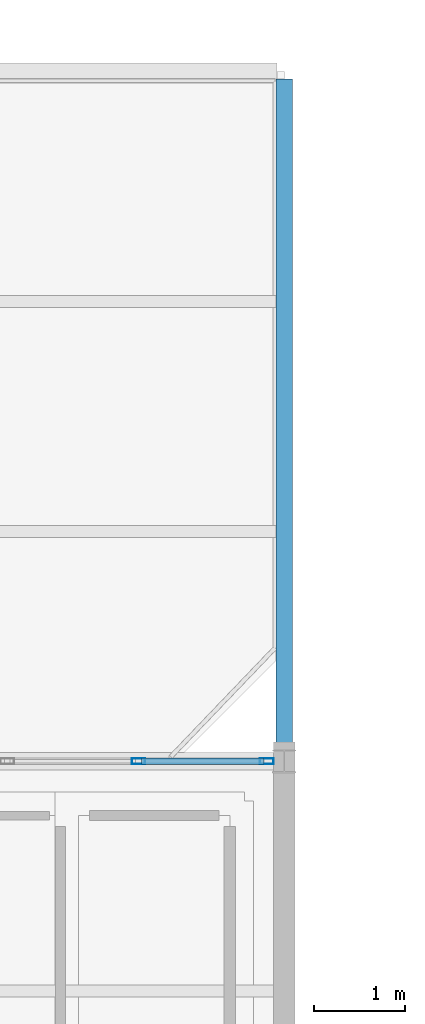
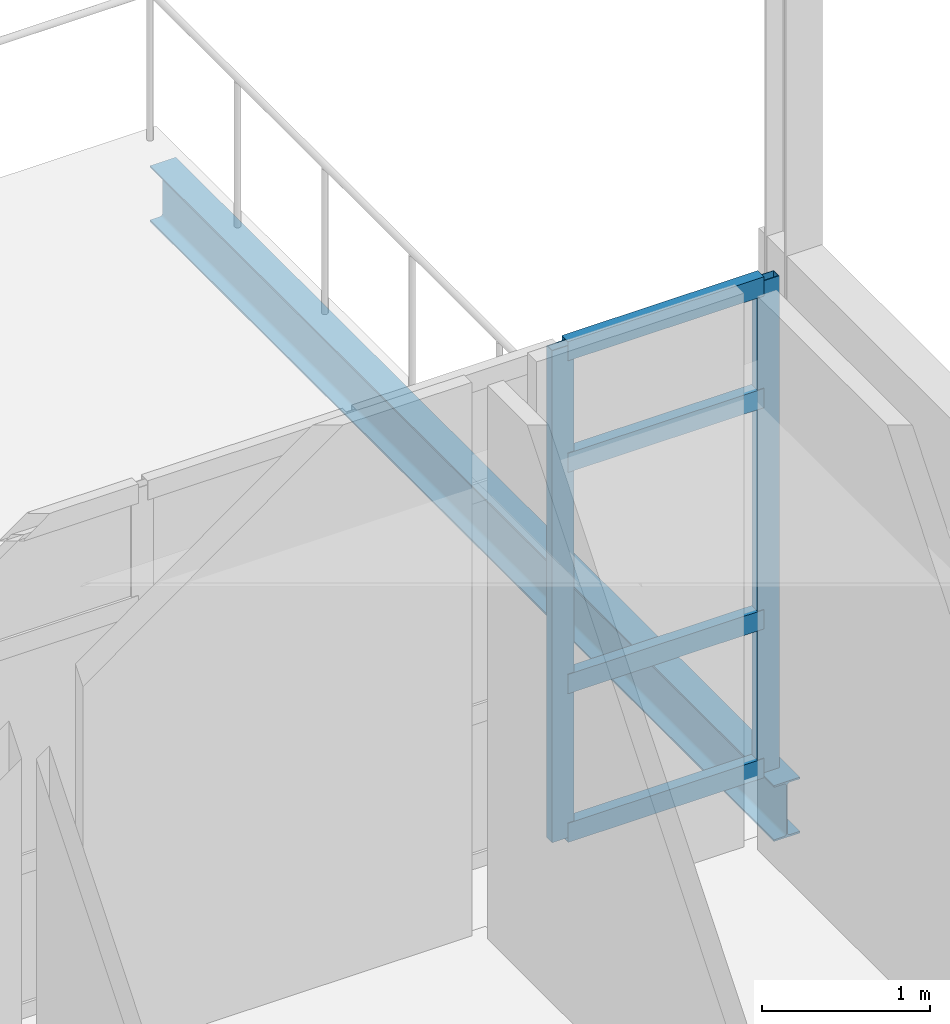
# One storey, part 51 of 96: 6 members, 1 beam, 1 element without a shape of its own.
"""IFC4 building model written with IfcOpenShell, lengths in metres."""

from ifc_helpers import new_model, si_unit, direction, frame, origin, origin_2d, place, context, subcontext, project, spatial, hollow_rectangle, i_section, extrude, material, material_profile, profile_set, type_object, element, aggregate, save


model = new_model("IFC4")

# Units and contexts
model_context = context("Model", 3, precision=1e-05, world=origin(), true_north=direction((0.0, 1.0)))
body_context = subcontext(model_context, "Body", "Model", "MODEL_VIEW")
ifc_project = project(units=[si_unit("LENGTHUNIT", "METRE"), si_unit("AREAUNIT", "SQUARE_METRE"), si_unit("VOLUMEUNIT", "CUBIC_METRE"), si_unit("PLANEANGLEUNIT", "RADIAN"), si_unit("MASSUNIT", "GRAM", prefix="KILO")], contexts=[model_context])

# Site, building, storey
site_placement = place(None, origin())
site = spatial("IfcSite", under=ifc_project, at=site_placement, CompositionType="ELEMENT")
building_placement = place(site_placement, origin())
building = spatial("IfcBuilding", under=site, at=building_placement, Name="Caisbarro Railhouse Central Library", CompositionType="ELEMENT")
storey_placement = place(building_placement, frame((0.0, 0.0, 13.679931640625)))
storey = spatial("IfcBuildingStorey", under=building, at=storey_placement, Name="L03", CompositionType="ELEMENT", Elevation=13.679931640625)

# Beam
ifc_material_1 = material(Name="Steel ASTM A572 Grade 50", Category="steel")
ifc_material_profile_1 = material_profile(ifc_material_1, i_section(OverallWidth=0.177978515625, OverallDepth=0.406982421875, WebThickness=0.0078125, FlangeThickness=0.0126953125, FilletRadius=0.01611328125, at=origin_2d()), Name="W410X60.0")
ifc_profile_set_1 = profile_set([ifc_material_profile_1], Name="Steel ASTM A572 Grade 50")
beam_type = type_object("IfcBeamType", Name="BM-G10", PredefinedType="BEAM", material=ifc_profile_set_1)
beam_placement = place(storey_placement, frame((99.0, 106.47998046875, -0.413330078125), z_axis=(0.0, 1.0, 0.0), x_axis=(-1.0, 0.0, 0.0)))
element("IfcBeam", 1, at=beam_placement, inside=storey, type_object=beam_type, Name="G10 beam L03 #1957", PredefinedType="BEAM", context=body_context, shape_type="SweptSolid", body=[
    extrude(i_section(OverallWidth=0.177978515625, OverallDepth=0.406982421875, WebThickness=0.0078125, FlangeThickness=0.0126953125, FilletRadius=0.01611328125, at=origin_2d()), origin(), (0.0, 0.0, 1.0), 7.43994140625),
])

# Curtain wall, members
ifc_material_2 = material(Name="Anodised architectural aluminium", Category="aluminium")
curtain_wall_type = type_object("IfcCurtainWallType", Name="CW-CW03", PredefinedType="NOTDEFINED", material=ifc_material_2)
curtain_wall_placement = place(storey_placement, origin())
curtain_wall = element("IfcCurtainWall", 2, at=curtain_wall_placement, inside=storey, type_object=curtain_wall_type, Name="CW03 curtain wall L03 #191", PredefinedType="NOTDEFINED")
ifc_material_profile_2 = material_profile(ifc_material_2, hollow_rectangle(XDim=0.06494140625, YDim=0.14990234375, WallThickness=0.00390625, at=origin_2d()), Name="ALU-MUL-65X150")
ifc_profile_set_2 = profile_set([ifc_material_profile_2], Name="Anodised architectural aluminium")
member_type_1 = type_object("IfcMemberType", Name="CWM-M02", PredefinedType="MULLION", material=ifc_profile_set_2)
member_1_placement = place(storey_placement, frame((97.393310546875, 106.39990234375, 0.0), z_axis=(0.0, 0.0, 1.0), x_axis=(0.0, 1.0, 0.0)))
member_1 = element("IfcMember", 3, at=member_1_placement, type_object=member_type_1, Name="CW03 mullion 6", PredefinedType="MULLION", context=body_context, shape_type="SweptSolid", body=[
    extrude(hollow_rectangle(XDim=0.06494140625, YDim=0.14990234375, WallThickness=0.00390625, at=origin_2d()), origin(), (0.0, 0.0, 1.0), 3.580078125),
])
member_2_placement = place(storey_placement, frame((98.8076171875, 106.39990234375, 0.0), z_axis=(0.0, 0.0, 1.0), x_axis=(0.0, 1.0, 0.0)))
member_2 = element("IfcMember", 4, at=member_2_placement, type_object=member_type_1, Name="CW03 mullion 7", PredefinedType="MULLION", context=body_context, shape_type="SweptSolid", body=[
    extrude(hollow_rectangle(XDim=0.06494140625, YDim=0.14990234375, WallThickness=0.00390625, at=origin_2d()), origin(), (0.0, 0.0, 1.0), 3.580078125),
])
ifc_material_profile_3 = material_profile(ifc_material_2, hollow_rectangle(XDim=0.074951171875, YDim=0.139892578125, WallThickness=0.00390625, at=origin_2d()), Name="ALU-TRN-75X140")
ifc_profile_set_3 = profile_set([ifc_material_profile_3], Name="Anodised architectural aluminium")
member_type_2 = type_object("IfcMemberType", Name="CWT-T01", PredefinedType="USERDEFINED", material=ifc_profile_set_3)
member_3_placement = place(storey_placement, frame((97.42578125, 106.39990234375, 0.03759765625), z_axis=(1.0, 0.0, 0.0), x_axis=(0.0, 1.0, 0.0)))
member_3 = element("IfcMember", 5, at=member_3_placement, type_object=member_type_2, Name="CW03 transom 6.1", ObjectType="TRANSOM", PredefinedType="USERDEFINED", context=body_context, shape_type="SweptSolid", body=[
    extrude(hollow_rectangle(XDim=0.074951171875, YDim=0.139892578125, WallThickness=0.00390625, at=origin_2d()), origin(), (0.0, 0.0, 1.0), 1.34912109375),
])
member_4_placement = place(storey_placement, frame((97.42578125, 106.39990234375, 1.1201171875), z_axis=(1.0, 0.0, 0.0), x_axis=(0.0, 1.0, 0.0)))
member_4 = element("IfcMember", 6, at=member_4_placement, type_object=member_type_2, Name="CW03 transom 6.2", ObjectType="TRANSOM", PredefinedType="USERDEFINED", context=body_context, shape_type="SweptSolid", body=[
    extrude(hollow_rectangle(XDim=0.074951171875, YDim=0.139892578125, WallThickness=0.00390625, at=origin_2d()), origin(), (0.0, 0.0, 1.0), 1.34912109375),
])
member_5_placement = place(storey_placement, frame((97.42578125, 106.39990234375, 2.72998046875), z_axis=(1.0, 0.0, 0.0), x_axis=(0.0, 1.0, 0.0)))
member_5 = element("IfcMember", 7, at=member_5_placement, type_object=member_type_2, Name="CW03 transom 6.3", ObjectType="TRANSOM", PredefinedType="USERDEFINED", context=body_context, shape_type="SweptSolid", body=[
    extrude(hollow_rectangle(XDim=0.074951171875, YDim=0.139892578125, WallThickness=0.00390625, at=origin_2d()), origin(), (0.0, 0.0, 1.0), 1.34912109375),
])
member_6_placement = place(storey_placement, frame((97.42578125, 106.39990234375, 3.54248046875), z_axis=(1.0, 0.0, 0.0), x_axis=(0.0, 1.0, 0.0)))
member_6 = element("IfcMember", 8, at=member_6_placement, type_object=member_type_2, Name="CW03 transom 6.4", ObjectType="TRANSOM", PredefinedType="USERDEFINED", context=body_context, shape_type="SweptSolid", body=[
    extrude(hollow_rectangle(XDim=0.074951171875, YDim=0.139892578125, WallThickness=0.00390625, at=origin_2d()), origin(), (0.0, 0.0, 1.0), 1.34912109375),
])
aggregate(curtain_wall, [member_1, member_2, member_3, member_4, member_5, member_6])

save(model, "model.ifc")
